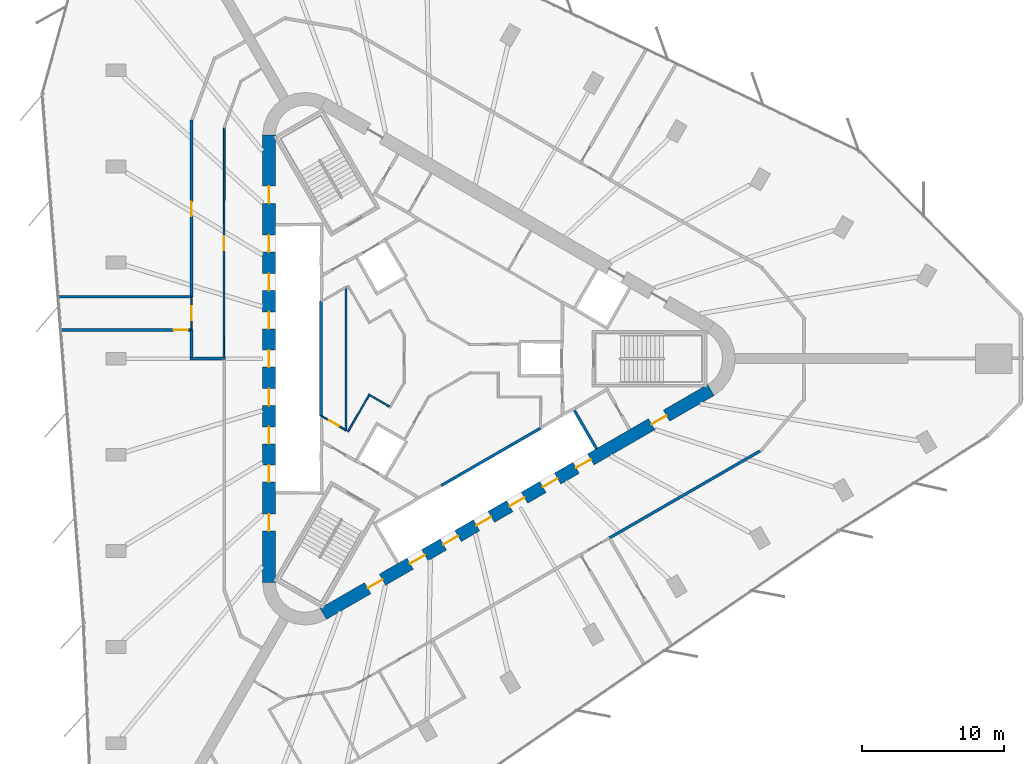
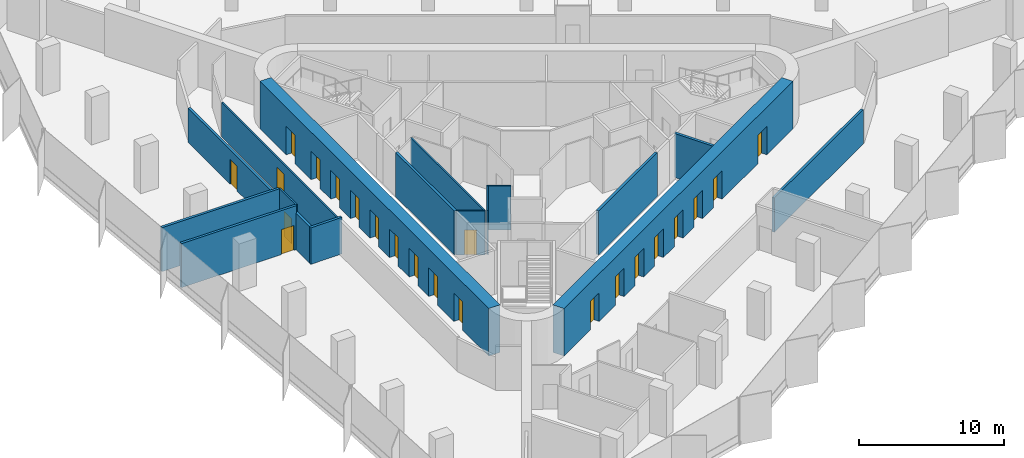
# One storey, part 9 of 13: 22 doors, 17 walls, 22 openings.
"""IFC4 building model written with IfcOpenShell, lengths in metres."""

from ifc_helpers import new_model, si_unit, direction, frame, frame_2d, origin, place, context, subcontext, project, spatial, rectangle, extrude, material, layer, layer_set, type_object, element, fill, save


model = new_model("IFC4")

# Units and contexts
model_context = context("Model", 3, precision=1e-05, world=origin(), true_north=direction((0.0, 1.0)))
body_context = subcontext(model_context, "Body", "Model", "MODEL_VIEW")
ifc_project = project(units=[si_unit("LENGTHUNIT", "METRE"), si_unit("AREAUNIT", "SQUARE_METRE"), si_unit("VOLUMEUNIT", "CUBIC_METRE"), si_unit("PLANEANGLEUNIT", "RADIAN"), si_unit("MASSUNIT", "GRAM", prefix="KILO")], contexts=[model_context])

# Site, building, storey
site_placement = place(None, origin())
site = spatial("IfcSite", under=ifc_project, at=site_placement, CompositionType="ELEMENT")
building_placement = place(site_placement, origin())
building = spatial("IfcBuilding", under=site, at=building_placement, Name="Tanit Gate Tower", CompositionType="ELEMENT")
storey_placement = place(building_placement, frame((0.0, 0.0, 189.199951171875)))
storey = spatial("IfcBuildingStorey", under=building, at=storey_placement, Name="L41", CompositionType="ELEMENT", Elevation=189.199951171875)

# Wall, openings, doors
ifc_material_1 = material(Name="Concrete C50/60", Category="concrete")
ifc_layer_1 = layer(ifc_material_1, 0.89990234375)
ifc_layer_set_1 = layer_set([ifc_layer_1], Name="CORE WALL 900 C50/60")
wall_type_1 = type_object("IfcWallType", Name="CORE WALL 900 C50/60", PredefinedType="SHEAR", material=ifc_layer_set_1)
wall_1_placement = place(storey_placement, frame((-11.64990234375, 15.76171875, 0.0), z_axis=(0.0, 0.0, 1.0), x_axis=(0.0, -1.0, 0.0)))
wall_1 = element("IfcWall", 1, at=wall_1_placement, inside=storey, type_object=wall_type_1, Name="CORE WALL", PredefinedType="SHEAR", context=body_context, shape_type="SweptSolid", body=[
    extrude(rectangle(XDim=31.5234375, YDim=0.89990234375, at=frame_2d((15.76171875, 0.0))), origin(), (0.0, 0.0, 1.0), 4.0),
])
opening_1_placement = place(wall_1_placement, frame((7.061767578125, 0.0, 0.0)))
opening_1 = element("IfcOpeningElement", 2, at=opening_1_placement, cuts=wall_1, Name="Opening LDML1-S10", PredefinedType="OPENING", context=body_context, shape_type="SweptSolid", body=[
    extrude(rectangle(XDim=1.199951171875, YDim=2.39990234375, at=frame_2d((0.60009765625, 1.199951171875))), frame((0.0, 0.4599609375, 0.0), z_axis=(0.0, -1.0, 0.0), x_axis=(1.0, 0.0, 0.0)), (0.0, 0.0, 1.0), 0.919921875),
])
opening_2_placement = place(wall_1_placement, frame((9.76171875, 0.0, 0.0)))
opening_2 = element("IfcOpeningElement", 3, at=opening_2_placement, cuts=wall_1, Name="Opening LDML2-S10", PredefinedType="OPENING", context=body_context, shape_type="SweptSolid", body=[
    extrude(rectangle(XDim=1.199951171875, YDim=2.39990234375, at=frame_2d((0.60009765625, 1.199951171875))), frame((0.0, 0.4599609375, 0.0), z_axis=(0.0, -1.0, 0.0), x_axis=(1.0, 0.0, 0.0)), (0.0, 0.0, 1.0), 0.919921875),
])
opening_3_placement = place(wall_1_placement, frame((12.461669921875, 0.0, 0.0)))
opening_3 = element("IfcOpeningElement", 4, at=opening_3_placement, cuts=wall_1, Name="Opening LDML3-S10", PredefinedType="OPENING", context=body_context, shape_type="SweptSolid", body=[
    extrude(rectangle(XDim=1.199951171875, YDim=2.39990234375, at=frame_2d((0.60009765625, 1.199951171875))), frame((0.0, 0.4599609375, 0.0), z_axis=(0.0, -1.0, 0.0), x_axis=(1.0, 0.0, 0.0)), (0.0, 0.0, 1.0), 0.919921875),
])
opening_4_placement = place(wall_1_placement, frame((15.16162109375, 0.0, 0.0)))
opening_4 = element("IfcOpeningElement", 5, at=opening_4_placement, cuts=wall_1, Name="Opening LDML4-S10", PredefinedType="OPENING", context=body_context, shape_type="SweptSolid", body=[
    extrude(rectangle(XDim=1.199951171875, YDim=2.39990234375, at=frame_2d((0.60009765625, 1.199951171875))), frame((0.0, 0.4599609375, 0.0), z_axis=(0.0, -1.0, 0.0), x_axis=(1.0, 0.0, 0.0)), (0.0, 0.0, 1.0), 0.919921875),
])
opening_5_placement = place(wall_1_placement, frame((17.86181640625, 0.0, 0.0)))
opening_5 = element("IfcOpeningElement", 6, at=opening_5_placement, cuts=wall_1, Name="Opening LDML5-S10", PredefinedType="OPENING", context=body_context, shape_type="SweptSolid", body=[
    extrude(rectangle(XDim=1.199951171875, YDim=2.39990234375, at=frame_2d((0.60009765625, 1.199951171875))), frame((0.0, 0.4599609375, 0.0), z_axis=(0.0, -1.0, 0.0), x_axis=(1.0, 0.0, 0.0)), (0.0, 0.0, 1.0), 0.919921875),
])
opening_6_placement = place(wall_1_placement, frame((20.561767578125, 0.0, 0.0)))
opening_6 = element("IfcOpeningElement", 7, at=opening_6_placement, cuts=wall_1, Name="Opening LDML6-S10", PredefinedType="OPENING", context=body_context, shape_type="SweptSolid", body=[
    extrude(rectangle(XDim=1.199951171875, YDim=2.39990234375, at=frame_2d((0.60009765625, 1.199951171875))), frame((0.0, 0.4599609375, 0.0), z_axis=(0.0, -1.0, 0.0), x_axis=(1.0, 0.0, 0.0)), (0.0, 0.0, 1.0), 0.919921875),
])
opening_7_placement = place(wall_1_placement, frame((23.26171875, 0.0, 0.0)))
opening_7 = element("IfcOpeningElement", 8, at=opening_7_placement, cuts=wall_1, Name="Opening LDML7-S10", PredefinedType="OPENING", context=body_context, shape_type="SweptSolid", body=[
    extrude(rectangle(XDim=1.199951171875, YDim=2.39990234375, at=frame_2d((0.60009765625, 1.199951171875))), frame((0.0, 0.4599609375, 0.0), z_axis=(0.0, -1.0, 0.0), x_axis=(1.0, 0.0, 0.0)), (0.0, 0.0, 1.0), 0.919921875),
])
opening_8_placement = place(wall_1_placement, frame((3.61181640625, 0.0, 0.0)))
opening_8 = element("IfcOpeningElement", 9, at=opening_8_placement, cuts=wall_1, Name="Opening F12-S10-FL2", PredefinedType="OPENING", context=body_context, shape_type="SweptSolid", body=[
    extrude(rectangle(XDim=1.199951171875, YDim=2.39990234375, at=frame_2d((0.60009765625, 1.199951171875))), frame((0.0, 0.4599609375, 0.0), z_axis=(0.0, -1.0, 0.0), x_axis=(1.0, 0.0, 0.0)), (0.0, 0.0, 1.0), 0.919921875),
])
opening_9_placement = place(wall_1_placement, frame((26.711669921875, 0.0, 0.0)))
opening_9 = element("IfcOpeningElement", 10, at=opening_9_placement, cuts=wall_1, Name="Opening F12-S10-S3", PredefinedType="OPENING", context=body_context, shape_type="SweptSolid", body=[
    extrude(rectangle(XDim=1.199951171875, YDim=2.39990234375, at=frame_2d((0.60009765625, 1.199951171875))), frame((0.0, 0.4599609375, 0.0), z_axis=(0.0, -1.0, 0.0), x_axis=(1.0, 0.0, 0.0)), (0.0, 0.0, 1.0), 0.919921875),
])
ifc_material_2 = material(Name="Fire-rated steel door leaf", Category="steel")
door_type_1 = type_object("IfcDoorType", Name="INT-DOOR-FIRE-LOBBY-1200", OperationType="NOTDEFINED", PredefinedType="USERDEFINED", material=ifc_material_2)
door_1_placement = place(opening_8_placement, origin())
door_1 = element("IfcDoor", 11, at=door_1_placement, inside=storey, type_object=door_type_1, Name="Door F12-S10-FL2", ObjectType="FIRE DOOR", OperationType="SINGLE_SWING_RIGHT", OverallHeight=2.39990234375, OverallWidth=1.199951171875, PredefinedType="USERDEFINED", context=body_context, shape_type="SweptSolid", body=[
    extrude(rectangle(XDim=1.199951171875, YDim=2.39990234375, at=frame_2d((0.60009765625, 1.199951171875))), frame((0.0, 0.02490234375, 0.0), z_axis=(0.0, -1.0, 0.0), x_axis=(1.0, 0.0, 0.0)), (0.0, 0.0, 1.0), 0.050048828125),
])
fill(opening_8, door_1)
door_2_placement = place(opening_9_placement, origin())
door_2 = element("IfcDoor", 12, at=door_2_placement, inside=storey, type_object=door_type_1, Name="Door F12-S10-S3", ObjectType="FIRE DOOR", OperationType="SINGLE_SWING_LEFT", OverallHeight=2.39990234375, OverallWidth=1.199951171875, PredefinedType="USERDEFINED", context=body_context, shape_type="SweptSolid", body=[
    extrude(rectangle(XDim=1.199951171875, YDim=2.39990234375, at=frame_2d((0.60009765625, 1.199951171875))), frame((0.0, 0.02490234375, 0.0), z_axis=(0.0, -1.0, 0.0), x_axis=(1.0, 0.0, 0.0)), (0.0, 0.0, 1.0), 0.050048828125),
])
fill(opening_9, door_2)
ifc_material_3 = material(Name="Stainless steel sliding door leaf", Category="steel")
door_type_2 = type_object("IfcDoorType", Name="INT-DOOR-LANDING-1200", OperationType="NOTDEFINED", PredefinedType="USERDEFINED", material=ifc_material_3)
door_3_placement = place(opening_1_placement, origin())
door_3 = element("IfcDoor", 13, at=door_3_placement, inside=storey, type_object=door_type_2, Name="Door LDML1-S10", ObjectType="LANDING DOOR", OperationType="SLIDING_TO_LEFT", OverallHeight=2.39990234375, OverallWidth=1.199951171875, PredefinedType="USERDEFINED", context=body_context, shape_type="SweptSolid", body=[
    extrude(rectangle(XDim=1.199951171875, YDim=2.39990234375, at=frame_2d((0.60009765625, 1.199951171875))), frame((0.0, 0.02490234375, 0.0), z_axis=(0.0, -1.0, 0.0), x_axis=(1.0, 0.0, 0.0)), (0.0, 0.0, 1.0), 0.050048828125),
])
fill(opening_1, door_3)
door_4_placement = place(opening_2_placement, origin())
door_4 = element("IfcDoor", 14, at=door_4_placement, inside=storey, type_object=door_type_2, Name="Door LDML2-S10", ObjectType="LANDING DOOR", OperationType="SLIDING_TO_LEFT", OverallHeight=2.39990234375, OverallWidth=1.199951171875, PredefinedType="USERDEFINED", context=body_context, shape_type="SweptSolid", body=[
    extrude(rectangle(XDim=1.199951171875, YDim=2.39990234375, at=frame_2d((0.60009765625, 1.199951171875))), frame((0.0, 0.02490234375, 0.0), z_axis=(0.0, -1.0, 0.0), x_axis=(1.0, 0.0, 0.0)), (0.0, 0.0, 1.0), 0.050048828125),
])
fill(opening_2, door_4)
door_5_placement = place(opening_3_placement, origin())
door_5 = element("IfcDoor", 15, at=door_5_placement, inside=storey, type_object=door_type_2, Name="Door LDML3-S10", ObjectType="LANDING DOOR", OperationType="SLIDING_TO_LEFT", OverallHeight=2.39990234375, OverallWidth=1.199951171875, PredefinedType="USERDEFINED", context=body_context, shape_type="SweptSolid", body=[
    extrude(rectangle(XDim=1.199951171875, YDim=2.39990234375, at=frame_2d((0.60009765625, 1.199951171875))), frame((0.0, 0.02490234375, 0.0), z_axis=(0.0, -1.0, 0.0), x_axis=(1.0, 0.0, 0.0)), (0.0, 0.0, 1.0), 0.050048828125),
])
fill(opening_3, door_5)
door_6_placement = place(opening_4_placement, origin())
door_6 = element("IfcDoor", 16, at=door_6_placement, inside=storey, type_object=door_type_2, Name="Door LDML4-S10", ObjectType="LANDING DOOR", OperationType="SLIDING_TO_LEFT", OverallHeight=2.39990234375, OverallWidth=1.199951171875, PredefinedType="USERDEFINED", context=body_context, shape_type="SweptSolid", body=[
    extrude(rectangle(XDim=1.199951171875, YDim=2.39990234375, at=frame_2d((0.60009765625, 1.199951171875))), frame((0.0, 0.02490234375, 0.0), z_axis=(0.0, -1.0, 0.0), x_axis=(1.0, 0.0, 0.0)), (0.0, 0.0, 1.0), 0.050048828125),
])
fill(opening_4, door_6)
door_7_placement = place(opening_5_placement, origin())
door_7 = element("IfcDoor", 17, at=door_7_placement, inside=storey, type_object=door_type_2, Name="Door LDML5-S10", ObjectType="LANDING DOOR", OperationType="SLIDING_TO_LEFT", OverallHeight=2.39990234375, OverallWidth=1.199951171875, PredefinedType="USERDEFINED", context=body_context, shape_type="SweptSolid", body=[
    extrude(rectangle(XDim=1.199951171875, YDim=2.39990234375, at=frame_2d((0.60009765625, 1.199951171875))), frame((0.0, 0.02490234375, 0.0), z_axis=(0.0, -1.0, 0.0), x_axis=(1.0, 0.0, 0.0)), (0.0, 0.0, 1.0), 0.050048828125),
])
fill(opening_5, door_7)
door_8_placement = place(opening_6_placement, origin())
door_8 = element("IfcDoor", 18, at=door_8_placement, inside=storey, type_object=door_type_2, Name="Door LDML6-S10", ObjectType="LANDING DOOR", OperationType="SLIDING_TO_LEFT", OverallHeight=2.39990234375, OverallWidth=1.199951171875, PredefinedType="USERDEFINED", context=body_context, shape_type="SweptSolid", body=[
    extrude(rectangle(XDim=1.199951171875, YDim=2.39990234375, at=frame_2d((0.60009765625, 1.199951171875))), frame((0.0, 0.02490234375, 0.0), z_axis=(0.0, -1.0, 0.0), x_axis=(1.0, 0.0, 0.0)), (0.0, 0.0, 1.0), 0.050048828125),
])
fill(opening_6, door_8)
door_9_placement = place(opening_7_placement, origin())
door_9 = element("IfcDoor", 19, at=door_9_placement, inside=storey, type_object=door_type_2, Name="Door LDML7-S10", ObjectType="LANDING DOOR", OperationType="SLIDING_TO_LEFT", OverallHeight=2.39990234375, OverallWidth=1.199951171875, PredefinedType="USERDEFINED", context=body_context, shape_type="SweptSolid", body=[
    extrude(rectangle(XDim=1.199951171875, YDim=2.39990234375, at=frame_2d((0.60009765625, 1.199951171875))), frame((0.0, 0.02490234375, 0.0), z_axis=(0.0, -1.0, 0.0), x_axis=(1.0, 0.0, 0.0)), (0.0, 0.0, 1.0), 0.050048828125),
])
fill(opening_7, door_9)

wall_2_placement = place(storey_placement, frame((-7.824951171875, -17.969970703125, 0.0), z_axis=(0.0, 0.0, 1.0), x_axis=(0.866028369851, 0.499994862586, 0.0)))
wall_2 = element("IfcWall", 20, at=wall_2_placement, inside=storey, type_object=wall_type_1, Name="CORE WALL", PredefinedType="SHEAR", context=body_context, shape_type="SweptSolid", body=[
    extrude(rectangle(XDim=31.523193359375, YDim=0.89990234375, at=frame_2d((15.76171875, 0.0))), origin(), (0.0, 0.0, 1.0), 4.0),
])
opening_10_placement = place(wall_2_placement, frame((7.061767578125, 0.0, 0.0)))
opening_10 = element("IfcOpeningElement", 21, at=opening_10_placement, cuts=wall_2, Name="Opening LDSX1-S10", PredefinedType="OPENING", context=body_context, shape_type="SweptSolid", body=[
    extrude(rectangle(XDim=1.199951171875, YDim=2.39990234375, at=frame_2d((0.60009765625, 1.199951171875))), frame((0.0, 0.4599609375, 0.0), z_axis=(0.0, -1.0, 0.0), x_axis=(1.0, 0.0, 0.0)), (0.0, 0.0, 1.0), 0.919921875),
])
opening_11_placement = place(wall_2_placement, frame((9.76171875, 0.0, 0.0)))
opening_11 = element("IfcOpeningElement", 22, at=opening_11_placement, cuts=wall_2, Name="Opening LDSX2-S10", PredefinedType="OPENING", context=body_context, shape_type="SweptSolid", body=[
    extrude(rectangle(XDim=1.199951171875, YDim=2.39990234375, at=frame_2d((0.60009765625, 1.199951171875))), frame((0.0, 0.4599609375, 0.0), z_axis=(0.0, -1.0, 0.0), x_axis=(1.0, 0.0, 0.0)), (0.0, 0.0, 1.0), 0.919921875),
])
opening_12_placement = place(wall_2_placement, frame((12.461669921875, 0.0, 0.0)))
opening_12 = element("IfcOpeningElement", 23, at=opening_12_placement, cuts=wall_2, Name="Opening LDSX3-S10", PredefinedType="OPENING", context=body_context, shape_type="SweptSolid", body=[
    extrude(rectangle(XDim=1.199951171875, YDim=2.39990234375, at=frame_2d((0.60009765625, 1.199951171875))), frame((0.0, 0.4599609375, 0.0), z_axis=(0.0, -1.0, 0.0), x_axis=(1.0, 0.0, 0.0)), (0.0, 0.0, 1.0), 0.919921875),
])
opening_13_placement = place(wall_2_placement, frame((15.16162109375, 0.0, 0.0)))
opening_13 = element("IfcOpeningElement", 24, at=opening_13_placement, cuts=wall_2, Name="Opening LDSX4-S10", PredefinedType="OPENING", context=body_context, shape_type="SweptSolid", body=[
    extrude(rectangle(XDim=1.199951171875, YDim=2.39990234375, at=frame_2d((0.60009765625, 1.199951171875))), frame((0.0, 0.4599609375, 0.0), z_axis=(0.0, -1.0, 0.0), x_axis=(1.0, 0.0, 0.0)), (0.0, 0.0, 1.0), 0.919921875),
])
opening_14_placement = place(wall_2_placement, frame((17.861572265625, 0.0, 0.0)))
opening_14 = element("IfcOpeningElement", 25, at=opening_14_placement, cuts=wall_2, Name="Opening LDSV1-S10", PredefinedType="OPENING", context=body_context, shape_type="SweptSolid", body=[
    extrude(rectangle(XDim=1.199951171875, YDim=2.39990234375, at=frame_2d((0.60009765625, 1.199951171875))), frame((0.0, 0.4599609375, 0.0), z_axis=(0.0, -1.0, 0.0), x_axis=(1.0, 0.0, 0.0)), (0.0, 0.0, 1.0), 0.919921875),
])
opening_15_placement = place(wall_2_placement, frame((20.561767578125, 0.0, 0.0)))
opening_15 = element("IfcOpeningElement", 26, at=opening_15_placement, cuts=wall_2, Name="Opening LDSV2-S10", PredefinedType="OPENING", context=body_context, shape_type="SweptSolid", body=[
    extrude(rectangle(XDim=1.199951171875, YDim=2.39990234375, at=frame_2d((0.60009765625, 1.199951171875))), frame((0.0, 0.4599609375, 0.0), z_axis=(0.0, -1.0, 0.0), x_axis=(1.0, 0.0, 0.0)), (0.0, 0.0, 1.0), 0.919921875),
])
opening_16_placement = place(wall_2_placement, frame((26.711669921875, 0.0, 0.0)))
opening_16 = element("IfcOpeningElement", 27, at=opening_16_placement, cuts=wall_2, Name="Opening F12-S10-S1", PredefinedType="OPENING", context=body_context, shape_type="SweptSolid", body=[
    extrude(rectangle(XDim=1.199951171875, YDim=2.39990234375, at=frame_2d((0.60009765625, 1.199951171875))), frame((0.0, 0.4599609375, 0.0), z_axis=(0.0, -1.0, 0.0), x_axis=(1.0, 0.0, 0.0)), (0.0, 0.0, 1.0), 0.919921875),
])
opening_17_placement = place(wall_2_placement, frame((3.611572265625, 0.0, 0.0)))
opening_17 = element("IfcOpeningElement", 28, at=opening_17_placement, cuts=wall_2, Name="Opening F12-S10-FL3", PredefinedType="OPENING", context=body_context, shape_type="SweptSolid", body=[
    extrude(rectangle(XDim=1.199951171875, YDim=2.39990234375, at=frame_2d((0.60009765625, 1.199951171875))), frame((0.0, 0.4599609375, 0.0), z_axis=(0.0, -1.0, 0.0), x_axis=(1.0, 0.0, 0.0)), (0.0, 0.0, 1.0), 0.919921875),
])
door_10_placement = place(opening_16_placement, origin())
door_10 = element("IfcDoor", 29, at=door_10_placement, inside=storey, type_object=door_type_1, Name="Door F12-S10-S1", ObjectType="FIRE DOOR", OperationType="SINGLE_SWING_LEFT", OverallHeight=2.39990234375, OverallWidth=1.199951171875, PredefinedType="USERDEFINED", context=body_context, shape_type="SweptSolid", body=[
    extrude(rectangle(XDim=1.199951171875, YDim=2.39990234375, at=frame_2d((0.60009765625, 1.199951171875))), frame((0.0, 0.02490234375, 0.0), z_axis=(0.0, -1.0, 0.0), x_axis=(1.0, 0.0, 0.0)), (0.0, 0.0, 1.0), 0.050048828125),
])
fill(opening_16, door_10)
door_11_placement = place(opening_17_placement, origin())
door_11 = element("IfcDoor", 30, at=door_11_placement, inside=storey, type_object=door_type_1, Name="Door F12-S10-FL3", ObjectType="FIRE DOOR", OperationType="SINGLE_SWING_RIGHT", OverallHeight=2.39990234375, OverallWidth=1.199951171875, PredefinedType="USERDEFINED", context=body_context, shape_type="SweptSolid", body=[
    extrude(rectangle(XDim=1.199951171875, YDim=2.39990234375, at=frame_2d((0.60009765625, 1.199951171875))), frame((0.0, 0.02490234375, 0.0), z_axis=(0.0, -1.0, 0.0), x_axis=(1.0, 0.0, 0.0)), (0.0, 0.0, 1.0), 0.050048828125),
])
fill(opening_17, door_11)
door_12_placement = place(opening_10_placement, origin())
door_12 = element("IfcDoor", 31, at=door_12_placement, inside=storey, type_object=door_type_2, Name="Door LDSX1-S10", ObjectType="LANDING DOOR", OperationType="SLIDING_TO_LEFT", OverallHeight=2.39990234375, OverallWidth=1.199951171875, PredefinedType="USERDEFINED", context=body_context, shape_type="SweptSolid", body=[
    extrude(rectangle(XDim=1.199951171875, YDim=2.39990234375, at=frame_2d((0.60009765625, 1.199951171875))), frame((0.0, 0.02490234375, 0.0), z_axis=(0.0, -1.0, 0.0), x_axis=(1.0, 0.0, 0.0)), (0.0, 0.0, 1.0), 0.050048828125),
])
fill(opening_10, door_12)
door_13_placement = place(opening_11_placement, origin())
door_13 = element("IfcDoor", 32, at=door_13_placement, inside=storey, type_object=door_type_2, Name="Door LDSX2-S10", ObjectType="LANDING DOOR", OperationType="SLIDING_TO_LEFT", OverallHeight=2.39990234375, OverallWidth=1.199951171875, PredefinedType="USERDEFINED", context=body_context, shape_type="SweptSolid", body=[
    extrude(rectangle(XDim=1.199951171875, YDim=2.39990234375, at=frame_2d((0.60009765625, 1.199951171875))), frame((0.0, 0.02490234375, 0.0), z_axis=(0.0, -1.0, 0.0), x_axis=(1.0, 0.0, 0.0)), (0.0, 0.0, 1.0), 0.050048828125),
])
fill(opening_11, door_13)
door_14_placement = place(opening_12_placement, origin())
door_14 = element("IfcDoor", 33, at=door_14_placement, inside=storey, type_object=door_type_2, Name="Door LDSX3-S10", ObjectType="LANDING DOOR", OperationType="SLIDING_TO_LEFT", OverallHeight=2.39990234375, OverallWidth=1.199951171875, PredefinedType="USERDEFINED", context=body_context, shape_type="SweptSolid", body=[
    extrude(rectangle(XDim=1.199951171875, YDim=2.39990234375, at=frame_2d((0.60009765625, 1.199951171875))), frame((0.0, 0.02490234375, 0.0), z_axis=(0.0, -1.0, 0.0), x_axis=(1.0, 0.0, 0.0)), (0.0, 0.0, 1.0), 0.050048828125),
])
fill(opening_12, door_14)
door_15_placement = place(opening_13_placement, origin())
door_15 = element("IfcDoor", 34, at=door_15_placement, inside=storey, type_object=door_type_2, Name="Door LDSX4-S10", ObjectType="LANDING DOOR", OperationType="SLIDING_TO_LEFT", OverallHeight=2.39990234375, OverallWidth=1.199951171875, PredefinedType="USERDEFINED", context=body_context, shape_type="SweptSolid", body=[
    extrude(rectangle(XDim=1.199951171875, YDim=2.39990234375, at=frame_2d((0.60009765625, 1.199951171875))), frame((0.0, 0.02490234375, 0.0), z_axis=(0.0, -1.0, 0.0), x_axis=(1.0, 0.0, 0.0)), (0.0, 0.0, 1.0), 0.050048828125),
])
fill(opening_13, door_15)
door_16_placement = place(opening_14_placement, origin())
door_16 = element("IfcDoor", 35, at=door_16_placement, inside=storey, type_object=door_type_2, Name="Door LDSV1-S10", ObjectType="LANDING DOOR", OperationType="SLIDING_TO_LEFT", OverallHeight=2.39990234375, OverallWidth=1.199951171875, PredefinedType="USERDEFINED", context=body_context, shape_type="SweptSolid", body=[
    extrude(rectangle(XDim=1.199951171875, YDim=2.39990234375, at=frame_2d((0.60009765625, 1.199951171875))), frame((0.0, 0.02490234375, 0.0), z_axis=(0.0, -1.0, 0.0), x_axis=(1.0, 0.0, 0.0)), (0.0, 0.0, 1.0), 0.050048828125),
])
fill(opening_14, door_16)
door_17_placement = place(opening_15_placement, origin())
door_17 = element("IfcDoor", 36, at=door_17_placement, inside=storey, type_object=door_type_2, Name="Door LDSV2-S10", ObjectType="LANDING DOOR", OperationType="SLIDING_TO_LEFT", OverallHeight=2.39990234375, OverallWidth=1.199951171875, PredefinedType="USERDEFINED", context=body_context, shape_type="SweptSolid", body=[
    extrude(rectangle(XDim=1.199951171875, YDim=2.39990234375, at=frame_2d((0.60009765625, 1.199951171875))), frame((0.0, 0.02490234375, 0.0), z_axis=(0.0, -1.0, 0.0), x_axis=(1.0, 0.0, 0.0)), (0.0, 0.0, 1.0), 0.050048828125),
])
fill(opening_15, door_17)

# Wall
ifc_material_4 = material(Name="Fire-rated gypsum board partition")
ifc_layer_2 = layer(ifc_material_4, 0.199951171875)
ifc_layer_set_2 = layer_set([ifc_layer_2], Name="INT-WALL-COMPARTMENT")
wall_type_2 = type_object("IfcWallType", Name="INT-WALL-COMPARTMENT", PredefinedType="PARTITIONING", material=ifc_layer_set_2)
wall_3_placement = place(storey_placement, frame((-17.199951171875, -0.001220703125, 0.0), z_axis=(0.0, 0.0, 1.0), x_axis=(0.999915662945, 0.012987185857, 0.0)))
element("IfcWall", 37, at=wall_3_placement, inside=storey, type_object=wall_type_2, Name="Wall Compartment W088", PredefinedType="PARTITIONING", context=body_context, shape_type="SweptSolid", body=[
    extrude(rectangle(XDim=2.500244140625, YDim=0.199951171875, at=frame_2d((1.25, 0.0))), origin(), (0.0, 0.0, 1.0), 3.070068359375),
])

# Wall, opening, door
wall_4_placement = place(storey_placement, frame((-17.10009765625, 16.82275390625, 0.0), z_axis=(0.0, 0.0, 1.0), x_axis=(0.0, -1.0, 0.0)))
wall_4 = element("IfcWall", 38, at=wall_4_placement, inside=storey, type_object=wall_type_2, Name="Wall Compartment W090", PredefinedType="PARTITIONING", context=body_context, shape_type="SweptSolid", body=[
    extrude(rectangle(XDim=12.47265625, YDim=0.199951171875, at=frame_2d((6.236328125, 0.0))), origin(), (0.0, 0.0, 1.0), 2.880126953125),
])
opening_18_placement = place(wall_4_placement, frame((5.7763671875, 0.0, 0.0)))
opening_18 = element("IfcOpeningElement", 39, at=opening_18_placement, cuts=wall_4, Name="Opening F10-S10-26", PredefinedType="OPENING", context=body_context, shape_type="SweptSolid", body=[
    extrude(rectangle(XDim=1.0, YDim=2.10009765625, at=frame_2d((0.5, 1.050048828125))), frame((0.0, 0.10986328125, 0.0), z_axis=(0.0, -1.0, 0.0), x_axis=(1.0, 0.0, 0.0)), (0.0, 0.0, 1.0), 0.219970703125),
])
ifc_material_5 = material(Name="Fire-rated steel door leaf", Category="steel")
door_type_3 = type_object("IfcDoorType", Name="INT-DOOR-FIRE-1000", OperationType="NOTDEFINED", PredefinedType="USERDEFINED", material=ifc_material_5)
door_18_placement = place(opening_18_placement, origin())
door_18 = element("IfcDoor", 40, at=door_18_placement, inside=storey, type_object=door_type_3, Name="Door F10-S10-26", ObjectType="FIRE DOOR", OperationType="SINGLE_SWING_RIGHT", OverallHeight=2.10009765625, OverallWidth=1.0, PredefinedType="USERDEFINED", context=body_context, shape_type="SweptSolid", body=[
    extrude(rectangle(XDim=1.0, YDim=2.10009765625, at=frame_2d((0.5, 1.050048828125))), frame((0.0, 0.02490234375, 0.0), z_axis=(0.0, -1.0, 0.0), x_axis=(1.0, 0.0, 0.0)), (0.0, 0.0, 1.0), 0.050048828125),
])
fill(opening_18, door_18)

# Walls
wall_5_placement = place(storey_placement, frame((-17.10009765625, 2.050048828125, 0.0), z_axis=(0.0, 0.0, 1.0), x_axis=(0.0, -1.0, 0.0)))
element("IfcWall", 41, at=wall_5_placement, inside=storey, type_object=wall_type_2, Name="Wall Compartment W089", PredefinedType="PARTITIONING", context=body_context, shape_type="SweptSolid", body=[
    extrude(rectangle(XDim=1.949951171875, YDim=0.199951171875, at=frame_2d((0.97509765625, 0.0))), origin(), (0.0, 0.0, 1.0), 3.070068359375),
])
wall_6_placement = place(storey_placement, frame((12.317138671875, -12.634033203125, 0.0), z_axis=(0.0, 0.0, 1.0), x_axis=(0.866028561818, 0.499994530085, 0.0)))
element("IfcWall", 42, at=wall_6_placement, inside=storey, type_object=wall_type_2, Name="Wall Compartment W107", PredefinedType="PARTITIONING", context=body_context, shape_type="SweptSolid", body=[
    extrude(rectangle(XDim=12.272705078125, YDim=0.199951171875, at=frame_2d((6.13623046875, 0.0))), origin(), (0.0, 0.0, 1.0), 2.880126953125),
])

# Wall, opening, door
wall_7_placement = place(storey_placement, frame((-26.33154296875, 2.02978515625, 0.0), z_axis=(0.0, 0.0, 1.0), x_axis=(0.999999999646, 2.6619107e-05, 0.0)))
wall_7 = element("IfcWall", 43, at=wall_7_placement, inside=storey, type_object=wall_type_2, Name="Wall Compartment W113", PredefinedType="PARTITIONING", context=body_context, shape_type="SweptSolid", body=[
    extrude(rectangle(XDim=9.171630859375, YDim=0.199951171875, at=frame_2d((4.5859375, 0.0))), origin(), (0.0, 0.0, 1.0), 3.699951171875),
])
opening_19_placement = place(wall_7_placement, frame((7.9716796875, 0.0, 0.0)))
opening_19 = element("IfcOpeningElement", 44, at=opening_19_placement, cuts=wall_7, Name="Opening F10-S10-25", PredefinedType="OPENING", context=body_context, shape_type="SweptSolid", body=[
    extrude(rectangle(XDim=1.0, YDim=2.10009765625, at=frame_2d((0.5, 1.050048828125))), frame((0.0, 0.10986328125, 0.0), z_axis=(0.0, -1.0, 0.0), x_axis=(1.0, 0.0, 0.0)), (0.0, 0.0, 1.0), 0.219970703125),
])
door_19_placement = place(opening_19_placement, origin())
door_19 = element("IfcDoor", 45, at=door_19_placement, inside=storey, type_object=door_type_3, Name="Door F10-S10-25", ObjectType="FIRE DOOR", OperationType="SINGLE_SWING_LEFT", OverallHeight=2.10009765625, OverallWidth=1.0, PredefinedType="USERDEFINED", context=body_context, shape_type="SweptSolid", body=[
    extrude(rectangle(XDim=1.0, YDim=2.10009765625, at=frame_2d((0.5, 1.050048828125))), frame((0.0, 0.02490234375, 0.0), z_axis=(0.0, -1.0, 0.0), x_axis=(1.0, 0.0, 0.0)), (0.0, 0.0, 1.0), 0.050048828125),
])
fill(opening_19, door_19)

# Walls
wall_8_placement = place(storey_placement, frame((-17.159912109375, 4.3701171875, 0.0), z_axis=(0.0, 0.0, 1.0), x_axis=(-1.0, 0.0, 0.0)))
element("IfcWall", 46, at=wall_8_placement, inside=storey, type_object=wall_type_2, Name="Wall Compartment W114", PredefinedType="PARTITIONING", context=body_context, shape_type="SweptSolid", body=[
    extrude(rectangle(XDim=9.35400390625, YDim=0.199951171875, at=frame_2d((4.677001953125, 0.0))), origin(), (0.0, 0.0, 1.0), 3.699951171875),
])
ifc_material_6 = material(Name="Gypsum board partition")
ifc_layer_3 = layer(ifc_material_6, 0.1201171875)
ifc_layer_set_3 = layer_set([ifc_layer_3], Name="INT-WALL-PARTITION")
wall_type_3 = type_object("IfcWallType", Name="INT-WALL-PARTITION", PredefinedType="PARTITIONING", material=ifc_layer_set_3)
wall_9_placement = place(storey_placement, frame((-6.2314453125, 5.0625, 0.0), z_axis=(0.0, 0.0, 1.0), x_axis=(0.0, -1.0, 0.0)))
element("IfcWall", 47, at=wall_9_placement, inside=storey, type_object=wall_type_3, Name="Wall Partition W074", PredefinedType="PARTITIONING", context=body_context, shape_type="SweptSolid", body=[
    extrude(rectangle(XDim=10.125, YDim=0.1201171875, at=frame_2d((5.0625, 0.0))), origin(), (0.0, 0.0, 1.0), 3.699951171875),
])

# Wall, opening, door
wall_10_placement = place(storey_placement, frame((-7.949951171875, -4.041015625, 0.0), z_axis=(0.0, 0.0, 1.0), x_axis=(0.867071050325, -0.498184497639, 0.0)))
wall_10 = element("IfcWall", 48, at=wall_10_placement, inside=storey, type_object=wall_type_3, Name="Wall Partition W075", PredefinedType="PARTITIONING", context=body_context, shape_type="SweptSolid", body=[
    extrude(rectangle(XDim=2.0166015625, YDim=0.1201171875, at=frame_2d((1.00830078125, 0.0))), origin(), (0.0, 0.0, 1.0), 3.699951171875),
])
opening_20_placement = place(wall_10_placement, frame((0.6083984375, 0.0, 0.0)))
opening_20 = element("IfcOpeningElement", 49, at=opening_20_placement, cuts=wall_10, Name="Opening R08-S10-12", PredefinedType="OPENING", context=body_context, shape_type="SweptSolid", body=[
    extrude(rectangle(XDim=0.800048828125, YDim=2.10009765625, at=frame_2d((0.39990234375, 1.050048828125))), frame((0.0, 0.070068359375, 0.0), z_axis=(0.0, -1.0, 0.0), x_axis=(1.0, 0.0, 0.0)), (0.0, 0.0, 1.0), 0.14013671875),
])
ifc_material_7 = material(Name="Timber door leaf", Category="wood")
door_type_4 = type_object("IfcDoorType", Name="INT-DOOR-RISER-800", OperationType="NOTDEFINED", PredefinedType="USERDEFINED", material=ifc_material_7)
door_20_placement = place(opening_20_placement, origin())
door_20 = element("IfcDoor", 50, at=door_20_placement, inside=storey, type_object=door_type_4, Name="Door R08-S10-12", ObjectType="FIRE DOOR", OperationType="SINGLE_SWING_RIGHT", OverallHeight=2.10009765625, OverallWidth=0.800048828125, PredefinedType="USERDEFINED", context=body_context, shape_type="SweptSolid", body=[
    extrude(rectangle(XDim=0.800048828125, YDim=2.10009765625, at=frame_2d((0.39990234375, 1.050048828125))), frame((0.0, 0.02490234375, 0.0), z_axis=(0.0, -1.0, 0.0), x_axis=(1.0, 0.0, 0.0)), (0.0, 0.0, 1.0), 0.050048828125),
])
fill(opening_20, door_20)

# Walls
wall_11_placement = place(storey_placement, frame((-4.64013671875, -2.51708984375, 0.0), z_axis=(0.0, 0.0, 1.0), x_axis=(0.865989465428, -0.500062241894, 0.0)))
element("IfcWall", 51, at=wall_11_placement, inside=storey, type_object=wall_type_3, Name="Wall Partition W082", PredefinedType="PARTITIONING", context=body_context, shape_type="SweptSolid", body=[
    extrude(rectangle(XDim=1.699951171875, YDim=0.1201171875, at=frame_2d((0.85009765625, 0.0))), origin(), (0.0, 0.0, 1.0), 3.699951171875),
])
wall_12_placement = place(storey_placement, frame((-6.08837890625, -5.145263671875, 0.0), z_axis=(0.0, 0.0, 1.0), x_axis=(0.500050696077, 0.865996132412, 0.0)))
element("IfcWall", 52, at=wall_12_placement, inside=storey, type_object=wall_type_3, Name="Wall Partition W083", PredefinedType="PARTITIONING", context=body_context, shape_type="SweptSolid", body=[
    extrude(rectangle(XDim=2.940185546875, YDim=0.1201171875, at=frame_2d((1.47021484375, 0.0))), origin(), (0.0, 0.0, 1.0), 3.699951171875),
])

# Wall, opening, door
wall_13_placement = place(storey_placement, frame((-14.800048828125, 16.257080078125, 0.0), z_axis=(0.0, 0.0, 1.0), x_axis=(-0.001847148781, -0.999998294019, 0.0)))
wall_13 = element("IfcWall", 53, at=wall_13_placement, inside=storey, type_object=wall_type_3, Name="Wall Partition W086", PredefinedType="PARTITIONING", context=body_context, shape_type="SweptSolid", body=[
    extrude(rectangle(XDim=16.257080078125, YDim=0.1201171875, at=frame_2d((8.12841796875, 0.0))), origin(), (0.0, 0.0, 1.0), 2.880126953125),
])
opening_21_placement = place(wall_13_placement, frame((7.628662109375, 0.0, 0.0)))
opening_21 = element("IfcOpeningElement", 54, at=opening_21_placement, cuts=wall_13, Name="Opening D10-S10-17", PredefinedType="OPENING", context=body_context, shape_type="SweptSolid", body=[
    extrude(rectangle(XDim=1.0, YDim=2.10009765625, at=frame_2d((0.5, 1.050048828125))), frame((0.0, 0.070068359375, 0.0), z_axis=(0.0, -1.0, 0.0), x_axis=(1.0, 0.0, 0.0)), (0.0, 0.0, 1.0), 0.14013671875),
])
ifc_material_8 = material(Name="Timber door leaf", Category="wood")
door_type_5 = type_object("IfcDoorType", Name="INT-DOOR-SINGLE-1000", OperationType="NOTDEFINED", PredefinedType="NOTDEFINED", material=ifc_material_8)
door_21_placement = place(opening_21_placement, origin())
door_21 = element("IfcDoor", 55, at=door_21_placement, inside=storey, type_object=door_type_5, Name="Door D10-S10-17", OperationType="SINGLE_SWING_RIGHT", OverallHeight=2.10009765625, OverallWidth=1.0, PredefinedType="NOTDEFINED", context=body_context, shape_type="SweptSolid", body=[
    extrude(rectangle(XDim=1.0, YDim=2.10009765625, at=frame_2d((0.5, 1.050048828125))), frame((0.0, 0.02490234375, 0.0), z_axis=(0.0, -1.0, 0.0), x_axis=(1.0, 0.0, 0.0)), (0.0, 0.0, 1.0), 0.050048828125),
])
fill(opening_21, door_21)

wall_14_placement = place(storey_placement, frame((-17.10009765625, 4.35009765625, 0.0), z_axis=(0.0, 0.0, 1.0), x_axis=(0.0, -1.0, 0.0)))
wall_14 = element("IfcWall", 56, at=wall_14_placement, inside=storey, type_object=wall_type_3, Name="Wall Partition W087", PredefinedType="PARTITIONING", context=body_context, shape_type="SweptSolid", body=[
    extrude(rectangle(XDim=2.300048828125, YDim=0.1201171875, at=frame_2d((1.14990234375, 0.0))), origin(), (0.0, 0.0, 1.0), 3.699951171875),
])
opening_22_placement = place(wall_14_placement, frame((0.64990234375, 0.0, 0.0)))
opening_22 = element("IfcOpeningElement", 57, at=opening_22_placement, cuts=wall_14, Name="Opening D10-S10-18", PredefinedType="OPENING", context=body_context, shape_type="SweptSolid", body=[
    extrude(rectangle(XDim=1.0, YDim=2.10009765625, at=frame_2d((0.5, 1.050048828125))), frame((0.0, 0.070068359375, 0.0), z_axis=(0.0, -1.0, 0.0), x_axis=(1.0, 0.0, 0.0)), (0.0, 0.0, 1.0), 0.14013671875),
])
door_22_placement = place(opening_22_placement, origin())
door_22 = element("IfcDoor", 58, at=door_22_placement, inside=storey, type_object=door_type_5, Name="Door D10-S10-18", OperationType="SINGLE_SWING_LEFT", OverallHeight=2.10009765625, OverallWidth=1.0, PredefinedType="NOTDEFINED", context=body_context, shape_type="SweptSolid", body=[
    extrude(rectangle(XDim=1.0, YDim=2.10009765625, at=frame_2d((0.5, 1.050048828125))), frame((0.0, 0.02490234375, 0.0), z_axis=(0.0, -1.0, 0.0), x_axis=(1.0, 0.0, 0.0)), (0.0, 0.0, 1.0), 0.050048828125),
])
fill(opening_22, door_22)

# Walls
ifc_material_9 = material(Name="Gypsum shaft wall system")
ifc_layer_4 = layer(ifc_material_9, 0.199951171875)
ifc_layer_set_4 = layer_set([ifc_layer_4], Name="INT-WALL-SHAFT")
wall_type_4 = type_object("IfcWallType", Name="INT-WALL-SHAFT", PredefinedType="PLUMBINGWALL", material=ifc_layer_set_4)
wall_15_placement = place(storey_placement, frame((-7.97998046875, 4.050048828125, 0.0), z_axis=(0.0, 0.0, 1.0), x_axis=(0.0, -1.0, 0.0)))
element("IfcWall", 59, at=wall_15_placement, inside=storey, type_object=wall_type_4, Name="Wall Shaft W005", PredefinedType="PLUMBINGWALL", context=body_context, shape_type="SweptSolid", body=[
    extrude(rectangle(XDim=8.10009765625, YDim=0.199951171875, at=frame_2d((4.050048828125, 0.0))), origin(), (0.0, 0.0, 1.0), 3.699951171875),
])
wall_16_placement = place(storey_placement, frame((0.482666015625, -8.935791015625, 0.0), z_axis=(0.0, 0.0, 1.0), x_axis=(0.866030989016, 0.499990325971, 0.0)))
element("IfcWall", 60, at=wall_16_placement, inside=storey, type_object=wall_type_4, Name="Wall Shaft W023", PredefinedType="PLUMBINGWALL", context=body_context, shape_type="SweptSolid", body=[
    extrude(rectangle(XDim=8.099853515625, YDim=0.199951171875, at=frame_2d((4.0498046875, 0.0))), origin(), (0.0, 0.0, 1.0), 3.699951171875),
])
wall_17_placement = place(storey_placement, frame((9.794677734375, -3.52490234375, 0.0), z_axis=(0.0, 0.0, 1.0), x_axis=(0.499984717929, -0.866034226713, 0.0)))
element("IfcWall", 61, at=wall_17_placement, inside=storey, type_object=wall_type_4, Name="Wall Shaft W016", PredefinedType="PLUMBINGWALL", context=body_context, shape_type="SweptSolid", body=[
    extrude(rectangle(XDim=3.25, YDim=0.199951171875, at=frame_2d((1.625, 0.0))), origin(), (0.0, 0.0, 1.0), 3.699951171875),
])

save(model, "model.ifc")
